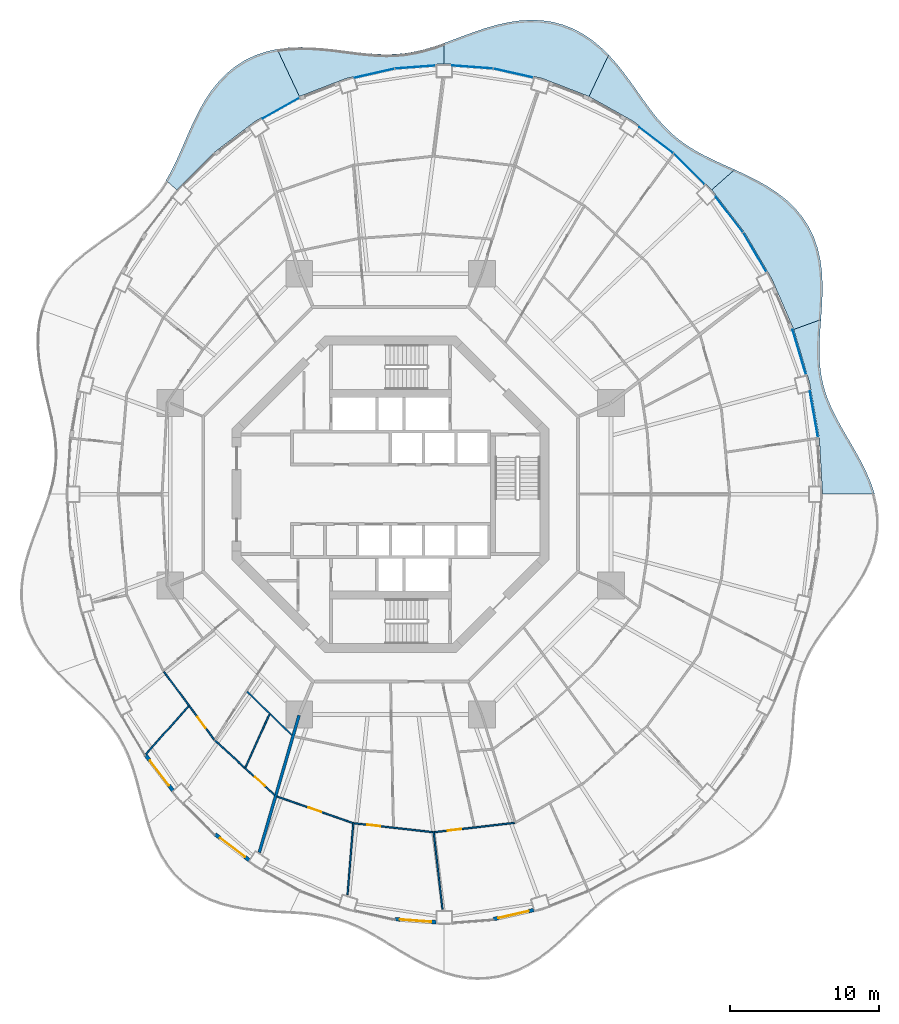
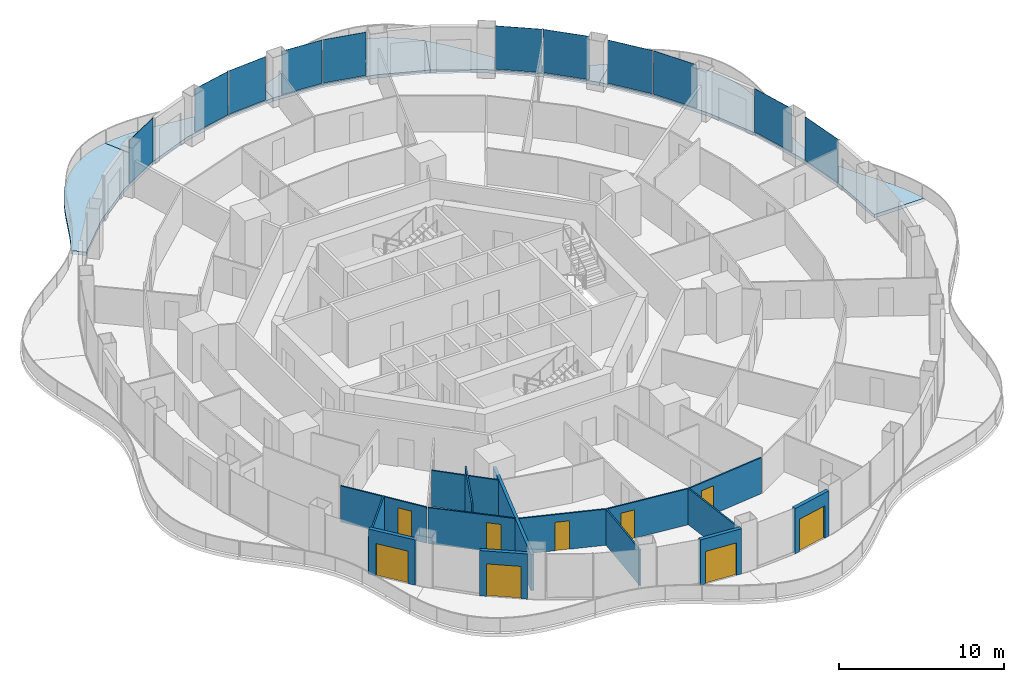
# One storey, part 10 of 19: 15 walls, 11 plates, 9 doors, 6 slabs, 9 openings, 11 elements without a shape of their own.
"""IFC4 building model written with IfcOpenShell, lengths in metres."""

from ifc_helpers import new_model, si_unit, direction, frame, frame_2d, origin, origin_2d, place, context, subcontext, project, spatial, polyline, rectangle, outline, extrude, material, layer, layer_set, type_object, element, fill, aggregate, save


model = new_model("IFC4")

# Units and contexts
model_context = context("Model", 3, precision=1e-05, world=origin(), true_north=direction((0.0, 1.0)))
body_context = subcontext(model_context, "Body", "Model", "MODEL_VIEW")
ifc_project = project(units=[si_unit("LENGTHUNIT", "METRE"), si_unit("AREAUNIT", "SQUARE_METRE"), si_unit("VOLUMEUNIT", "CUBIC_METRE"), si_unit("PLANEANGLEUNIT", "RADIAN"), si_unit("MASSUNIT", "GRAM", prefix="KILO")], contexts=[model_context])

# Site, building, storey
site_placement = place(None, origin())
site = spatial("IfcSite", under=ifc_project, at=site_placement, CompositionType="ELEMENT")
building_placement = place(site_placement, origin())
building = spatial("IfcBuilding", under=site, at=building_placement, Name="Nagisa Residences", CompositionType="ELEMENT")
storey_placement = place(building_placement, frame((0.0, 0.0, 202.89990234375)))
storey = spatial("IfcBuildingStorey", under=building, at=storey_placement, Name="L51", CompositionType="ELEMENT", Elevation=202.89990234375)

# Slabs
ifc_material_1 = material(Name="Concrete C40/50", Category="concrete")
ifc_layer_1 = layer(ifc_material_1, 0.25)
ifc_layer_set_1 = layer_set([ifc_layer_1], Name="BALCONY SLAB 250")
slab_type = type_object("IfcSlabType", Name="BALCONY SLAB 250", PredefinedType="FLOOR", material=ifc_layer_set_1)
slab_1_placement = place(storey_placement, frame((0.0, 0.0, -0.25)))
element("IfcSlab", 1, at=slab_1_placement, inside=storey, type_object=slab_type, Name="slab:L51:bal00", PredefinedType="FLOOR", context=body_context, shape_type="SweptSolid", body=[
    extrude(outline(polyline([(32.47412109375, 0.0), (32.21142578125, 0.774169921875), (31.8837890625, 1.53515625), (31.50830078125, 2.2802734375), (31.103515625, 3.0087890625), (30.688720703125, 3.7216796875), (30.283203125, 4.421142578125), (29.904052734375, 5.111328125), (29.566650390625, 5.796630859375), (29.2822265625, 6.48291015625), (29.05859375, 7.17626953125), (28.89892578125, 7.8818359375), (28.8017578125, 8.604736328125), (28.761474609375, 9.348388671875), (28.76806640625, 10.11474609375), (28.80810546875, 10.90380859375), (28.86572265625, 11.71337890625), (27.04345703125, 11.050048828125), (28.1103515625, 7.473388671875), (28.7578125, 3.76904296875), (28.97509765625, 0.0), (32.47412109375, 0.0)])), origin(), (0.0, 0.0, 1.0), 0.25),
])
slab_2_placement = place(storey_placement, frame((0.0, 0.0, -0.25)))
element("IfcSlab", 2, at=slab_2_placement, inside=storey, type_object=slab_type, Name="slab:L51:bal01", PredefinedType="FLOOR", context=body_context, shape_type="SweptSolid", body=[
    extrude(outline(polyline([(28.86572265625, 11.71337890625), (28.921630859375, 12.513427734375), (28.960693359375, 13.3232421875), (28.966552734375, 14.13525390625), (28.924072265625, 14.94189453125), (28.81982421875, 15.733642578125), (28.64404296875, 16.501708984375), (28.38916015625, 17.237060546875), (28.052001953125, 17.932373046875), (27.632568359375, 18.581298828125), (27.135009765625, 19.179443359375), (26.566650390625, 19.724609375), (25.937744140625, 20.218017578125), (25.260498046875, 20.662109375), (24.548828125, 21.063232421875), (23.817626953125, 21.42919921875), (23.081298828125, 21.769775390625), (21.542724609375, 20.417724609375), (23.7314453125, 17.577880859375), (25.575439453125, 14.4375), (27.04345703125, 11.050048828125), (28.86572265625, 11.71337890625)])), origin(), (0.0, 0.0, 1.0), 0.25),
])
slab_3_placement = place(storey_placement, frame((0.0, 0.0, -0.25)))
element("IfcSlab", 3, at=slab_3_placement, inside=storey, type_object=slab_type, Name="slab:L51:bal02", PredefinedType="FLOOR", context=body_context, shape_type="SweptSolid", body=[
    extrude(outline(polyline([(23.081298828125, 21.769775390625), (22.38720703125, 22.081298828125), (21.710693359375, 22.390869140625), (21.060546875, 22.708740234375), (20.4423828125, 23.044677734375), (19.85986328125, 23.407958984375), (19.313720703125, 23.8056640625), (18.80224609375, 24.242431640625), (18.321533203125, 24.72119140625), (17.86474609375, 25.24169921875), (17.424560546875, 25.80078125), (16.9921875, 26.392333984375), (16.5576171875, 27.0078125), (16.11181640625, 27.636474609375), (15.646240234375, 28.265380859375), (15.153076171875, 28.880859375), (14.626220703125, 29.46826171875), (13.310546875, 26.677001953125), (16.28759765625, 25.006591796875), (19.04736328125, 22.907958984375), (21.542724609375, 20.417724609375), (23.081298828125, 21.769775390625)])), origin(), (0.0, 0.0, 1.0), 0.25),
])
slab_4_placement = place(storey_placement, frame((0.0, 0.0, -0.25)))
element("IfcSlab", 4, at=slab_4_placement, inside=storey, type_object=slab_type, Name="slab:L51:bal03", PredefinedType="FLOOR", context=body_context, shape_type="SweptSolid", body=[
    extrude(outline(polyline([(14.626220703125, 29.46826171875), (14.0830078125, 29.99462890625), (13.503173828125, 30.4697265625), (12.88671875, 30.883056640625), (12.2353515625, 31.225830078125), (11.552978515625, 31.491943359375), (10.84423828125, 31.677490234375), (10.114990234375, 31.7822265625), (9.3720703125, 31.80810546875), (8.621826171875, 31.7607421875), (7.87109375, 31.647705078125), (7.12548828125, 31.479248046875), (6.389892578125, 31.267822265625), (5.66845703125, 31.0263671875), (4.962646484375, 30.768798828125), (4.2734375, 30.50927734375), (3.60009765625, 30.2607421875), (3.60009765625, 28.875), (6.912109375, 28.6279296875), (10.16748046875, 27.89111328125), (13.310546875, 26.677001953125), (14.626220703125, 29.46826171875)])), origin(), (0.0, 0.0, 1.0), 0.25),
])
slab_5_placement = place(storey_placement, frame((0.0, 0.0, -0.25)))
element("IfcSlab", 5, at=slab_5_placement, inside=storey, type_object=slab_type, Name="slab:L51:bal04", PredefinedType="FLOOR", context=body_context, shape_type="SweptSolid", body=[
    extrude(outline(polyline([(3.60009765625, 30.2607421875), (2.93994140625, 30.03515625), (2.28955078125, 29.842041015625), (1.644775390625, 29.688720703125), (1.00048828125, 29.579833984375), (0.351806640625, 29.517333984375), (-0.30615234375, 29.499267578125), (-0.97705078125, 29.521484375), (-1.664306640625, 29.576904296875), (-2.369140625, 29.65625), (-3.091796875, 29.747802734375), (-3.83056640625, 29.83935546875), (-4.58251953125, 29.91796875), (-5.342529296875, 29.97021484375), (-6.10498046875, 29.983642578125), (-6.8623046875, 29.947265625), (-7.60693359375, 29.8515625), (-6.110595703125, 26.677001953125), (-2.967529296875, 27.89111328125), (0.287841796875, 28.6279296875), (3.60009765625, 28.875), (3.60009765625, 30.2607421875)])), origin(), (0.0, 0.0, 1.0), 0.25),
])
slab_6_placement = place(storey_placement, frame((0.0, 0.0, -0.25)))
element("IfcSlab", 6, at=slab_6_placement, inside=storey, type_object=slab_type, Name="slab:L51:bal05", PredefinedType="FLOOR", context=body_context, shape_type="SweptSolid", body=[
    extrude(outline(polyline([(-7.60693359375, 29.8515625), (-8.357666015625, 29.681884765625), (-9.07763671875, 29.435302734375), (-9.759033203125, 29.1103515625), (-10.395751953125, 28.70751953125), (-10.983154296875, 28.231201171875), (-11.5185546875, 27.6884765625), (-12.00244140625, 27.088623046875), (-12.436767578125, 26.4423828125), (-12.82666015625, 25.762451171875), (-13.1787109375, 25.0615234375), (-13.501953125, 24.352294921875), (-13.806884765625, 23.64697265625), (-14.10400390625, 22.9560546875), (-14.405029296875, 22.28857421875), (-14.720458984375, 21.651123046875), (-15.060546875, 21.04833984375), (-14.3427734375, 20.417724609375), (-11.847412109375, 22.907958984375), (-9.08740234375, 25.006591796875), (-6.110595703125, 26.677001953125), (-7.60693359375, 29.8515625)])), origin(), (0.0, 0.0, 1.0), 0.25),
])

# Curtain wall, plate
ifc_material_2 = material(Name="Concrete-coloured aluminium curtain wall system", Category="concrete")
ifc_layer_2 = layer(ifc_material_2, 0.159912109375)
ifc_layer_set_2 = layer_set([ifc_layer_2], Name="CW1 CURTAIN WALL")
curtain_wall_type = type_object("IfcCurtainWallType", Name="CW1 CURTAIN WALL", PredefinedType="NOTDEFINED", material=ifc_layer_set_2)
curtain_wall_1_placement = place(storey_placement, origin())
curtain_wall_1 = element("IfcCurtainWall", 7, at=curtain_wall_1_placement, inside=storey, type_object=curtain_wall_type, Name="cw:CW1:L51:01", PredefinedType="NOTDEFINED")
ifc_material_3 = material(Name="Clear laminated glass", Category="glass")
ifc_layer_3 = layer(ifc_material_3, 0.028076171875)
ifc_layer_set_3 = layer_set([ifc_layer_3], Name="CW1 GLASS PANEL")
plate_type = type_object("IfcPlateType", Name="CW1 GLASS PANEL", PredefinedType="CURTAIN_PANEL", material=ifc_layer_set_3)
plate_1_placement = place(storey_placement, frame((28.3974609375, 5.365966796875, 0.14990234375), z_axis=(0.0, 0.0, 1.0), x_axis=(-0.172190868898, 0.985063604377, 0.0)))
plate_1 = element("IfcPlate", 8, at=plate_1_placement, type_object=plate_type, Name="CW1 panel", PredefinedType="CURTAIN_PANEL", context=body_context, shape_type="SweptSolid", body=[
    extrude(rectangle(XDim=3.150634765625, YDim=0.028076171875, at=origin_2d()), origin(), (0.0, 0.0, 1.0), 3.199951171875),
])
aggregate(curtain_wall_1, [plate_1])

curtain_wall_2_placement = place(storey_placement, origin())
curtain_wall_2 = element("IfcCurtainWall", 9, at=curtain_wall_2_placement, inside=storey, type_object=curtain_wall_type, Name="cw:CW1:L51:02", PredefinedType="NOTDEFINED")
plate_2_placement = place(storey_placement, frame((27.4130859375, 9.531005859375, 0.14990234375), z_axis=(0.0, 0.0, 1.0), x_axis=(-0.285860274038, 0.958271310082, 0.0)))
plate_2 = element("IfcPlate", 10, at=plate_2_placement, type_object=plate_type, Name="CW1 panel", PredefinedType="CURTAIN_PANEL", context=body_context, shape_type="SweptSolid", body=[
    extrude(rectangle(XDim=3.122314453125, YDim=0.028076171875, at=origin_2d()), origin(), (0.0, 0.0, 1.0), 3.199951171875),
])
aggregate(curtain_wall_2, [plate_2])

curtain_wall_3_placement = place(storey_placement, origin())
curtain_wall_3 = element("IfcCurtainWall", 11, at=curtain_wall_3_placement, inside=storey, type_object=curtain_wall_type, Name="cw:CW1:L51:04", PredefinedType="NOTDEFINED")
plate_3_placement = place(storey_placement, frame((24.429931640625, 16.230224609375, 0.14990234375), z_axis=(0.0, 0.0, 1.0), x_axis=(-0.506348567002, 0.862328898214, 0.0)))
plate_3 = element("IfcPlate", 12, at=plate_3_placement, type_object=plate_type, Name="CW1 panel", PredefinedType="CURTAIN_PANEL", context=body_context, shape_type="SweptSolid", body=[
    extrude(rectangle(XDim=3.031982421875, YDim=0.028076171875, at=origin_2d()), origin(), (0.0, 0.0, 1.0), 3.199951171875),
])
aggregate(curtain_wall_3, [plate_3])

curtain_wall_4_placement = place(storey_placement, origin())
curtain_wall_4 = element("IfcCurtainWall", 13, at=curtain_wall_4_placement, inside=storey, type_object=curtain_wall_type, Name="cw:CW1:L51:05", PredefinedType="NOTDEFINED")
plate_4_placement = place(storey_placement, frame((22.723388671875, 18.7548828125, 0.14990234375), z_axis=(0.0, 0.0, 1.0), x_axis=(-0.610429828235, 0.792070340816, 0.0)))
plate_4 = element("IfcPlate", 14, at=plate_4_placement, type_object=plate_type, Name="CW1 panel", PredefinedType="CURTAIN_PANEL", context=body_context, shape_type="SweptSolid", body=[
    extrude(rectangle(XDim=2.97509765625, YDim=0.028076171875, at=origin_2d()), origin(), (0.0, 0.0, 1.0), 3.199951171875),
])
aggregate(curtain_wall_4, [plate_4])

curtain_wall_5_placement = place(storey_placement, origin())
curtain_wall_5 = element("IfcCurtainWall", 15, at=curtain_wall_5_placement, inside=storey, type_object=curtain_wall_type, Name="cw:CW1:L51:06", PredefinedType="NOTDEFINED")
plate_5_placement = place(storey_placement, frame((20.022705078125, 21.82177734375, 0.14990234375), z_axis=(0.0, 0.0, 1.0), x_axis=(-0.707835924016, 0.706376885714, 0.0)))
plate_5 = element("IfcPlate", 16, at=plate_5_placement, type_object=plate_type, Name="CW1 panel", PredefinedType="CURTAIN_PANEL", context=body_context, shape_type="SweptSolid", body=[
    extrude(rectangle(XDim=2.91552734375, YDim=0.028076171875, at=origin_2d()), origin(), (0.0, 0.0, 1.0), 3.199951171875),
])
aggregate(curtain_wall_5, [plate_5])

curtain_wall_6_placement = place(storey_placement, origin())
curtain_wall_6 = element("IfcCurtainWall", 17, at=curtain_wall_6_placement, inside=storey, type_object=curtain_wall_type, Name="cw:CW1:L51:07", PredefinedType="NOTDEFINED")
plate_6_placement = place(storey_placement, frame((17.81396484375, 23.745361328125, 0.14990234375), z_axis=(0.0, 0.0, 1.0), x_axis=(-0.79603132756, 0.605255421737, 0.0)))
plate_6 = element("IfcPlate", 18, at=plate_6_placement, type_object=plate_type, Name="CW1 panel", PredefinedType="CURTAIN_PANEL", context=body_context, shape_type="SweptSolid", body=[
    extrude(rectangle(XDim=2.85693359375, YDim=0.028076171875, at=origin_2d()), origin(), (0.0, 0.0, 1.0), 3.199951171875),
])
aggregate(curtain_wall_6, [plate_6])

curtain_wall_7_placement = place(storey_placement, origin())
curtain_wall_7 = element("IfcCurtainWall", 19, at=curtain_wall_7_placement, inside=storey, type_object=curtain_wall_type, Name="cw:CW1:L51:10", PredefinedType="NOTDEFINED")
plate_7_placement = place(storey_placement, frame((8.224609375, 28.248779296875, 0.14990234375), z_axis=(0.0, 0.0, 1.0), x_axis=(-0.975327274089, 0.2207639201, 0.0)))
plate_7 = element("IfcPlate", 20, at=plate_7_placement, type_object=plate_type, Name="CW1 panel", PredefinedType="CURTAIN_PANEL", context=body_context, shape_type="SweptSolid", body=[
    extrude(rectangle(XDim=2.727783203125, YDim=0.028076171875, at=origin_2d()), origin(), (0.0, 0.0, 1.0), 3.199951171875),
])
aggregate(curtain_wall_7, [plate_7])

curtain_wall_8_placement = place(storey_placement, origin())
curtain_wall_8 = element("IfcCurtainWall", 21, at=curtain_wall_8_placement, inside=storey, type_object=curtain_wall_type, Name="cw:CW1:L51:11", PredefinedType="NOTDEFINED")
plate_8_placement = place(storey_placement, frame((5.494384765625, 28.653564453125, 0.14990234375), z_axis=(0.0, 0.0, 1.0), x_axis=(-0.997230168512, 0.074377355493, 0.0)))
plate_8 = element("IfcPlate", 22, at=plate_8_placement, type_object=plate_type, Name="CW1 panel", PredefinedType="CURTAIN_PANEL", context=body_context, shape_type="SweptSolid", body=[
    extrude(rectangle(XDim=2.711181640625, YDim=0.028076171875, at=origin_2d()), origin(), (0.0, 0.0, 1.0), 3.199951171875),
])
aggregate(curtain_wall_8, [plate_8])

curtain_wall_9_placement = place(storey_placement, origin())
curtain_wall_9 = element("IfcCurtainWall", 23, at=curtain_wall_9_placement, inside=storey, type_object=curtain_wall_type, Name="cw:CW1:L51:12", PredefinedType="NOTDEFINED")
plate_9_placement = place(storey_placement, frame((1.645751953125, 28.64892578125, 0.14990234375), z_axis=(0.0, 0.0, 1.0), x_axis=(-0.997230168512, -0.074377355493, 0.0)))
plate_9 = element("IfcPlate", 24, at=plate_9_placement, type_object=plate_type, Name="CW1 panel", PredefinedType="CURTAIN_PANEL", context=body_context, shape_type="SweptSolid", body=[
    extrude(rectangle(XDim=2.711181640625, YDim=0.028076171875, at=origin_2d()), origin(), (0.0, 0.0, 1.0), 3.199951171875),
])
aggregate(curtain_wall_9, [plate_9])

curtain_wall_10_placement = place(storey_placement, origin())
curtain_wall_10 = element("IfcCurtainWall", 25, at=curtain_wall_10_placement, inside=storey, type_object=curtain_wall_type, Name="cw:CW1:L51:13", PredefinedType="NOTDEFINED")
plate_10_placement = place(storey_placement, frame((-1.083251953125, 28.235595703125, 0.14990234375), z_axis=(0.0, 0.0, 1.0), x_axis=(-0.975327274089, -0.2207639201, 0.0)))
plate_10 = element("IfcPlate", 26, at=plate_10_placement, type_object=plate_type, Name="CW1 panel", PredefinedType="CURTAIN_PANEL", context=body_context, shape_type="SweptSolid", body=[
    extrude(rectangle(XDim=2.727783203125, YDim=0.028076171875, at=origin_2d()), origin(), (0.0, 0.0, 1.0), 3.199951171875),
])
aggregate(curtain_wall_10, [plate_10])

curtain_wall_11_placement = place(storey_placement, origin())
curtain_wall_11 = element("IfcCurtainWall", 27, at=curtain_wall_11_placement, inside=storey, type_object=curtain_wall_type, Name="cw:CW1:L51:15", PredefinedType="NOTDEFINED")
plate_11_placement = place(storey_placement, frame((-7.34619140625, 25.891845703125, 0.14990234375), z_axis=(0.0, 0.0, 1.0), x_axis=(-0.872072377523, -0.489376918501, 0.0)))
plate_11 = element("IfcPlate", 28, at=plate_11_placement, type_object=plate_type, Name="CW1 panel", PredefinedType="CURTAIN_PANEL", context=body_context, shape_type="SweptSolid", body=[
    extrude(rectangle(XDim=2.8037109375, YDim=0.028076171875, at=origin_2d()), origin(), (0.0, 0.0, 1.0), 3.199951171875),
])
aggregate(curtain_wall_11, [plate_11])

# Wall
ifc_material_4 = material(Name="Gypsum board on steel studs", Category="steel")
ifc_layer_4 = layer(ifc_material_4, 0.199951171875)
ifc_layer_set_4 = layer_set([ifc_layer_4], Name="Apartment compartment wall EI60 200")
wall_type_1 = type_object("IfcWallType", Name="Apartment compartment wall EI60 200", PredefinedType="PARTITIONING", material=ifc_layer_set_4)
wall_1_placement = place(storey_placement, frame((-6.136962890625, -14.830078125, 0.0), z_axis=(0.0, 0.0, 1.0), x_axis=(-0.278461169897, -0.96044748782, 0.0)))
element("IfcWall", 29, at=wall_1_placement, inside=storey, type_object=wall_type_1, Name="wall:L51:u05", PredefinedType="PARTITIONING", context=body_context, shape_type="SweptSolid", body=[
    extrude(rectangle(XDim=9.5732421875, YDim=0.199951171875, at=frame_2d((4.78662109375, 0.0))), origin(), (0.0, 0.0, 1.0), 2.666015625),
])

# Wall, opening, door
ifc_material_5 = material(Name="Gypsum board on steel studs", Category="steel")
ifc_layer_5 = layer(ifc_material_5, 0.10009765625)
ifc_layer_set_5 = layer_set([ifc_layer_5], Name="Apartment partition 100")
wall_type_2 = type_object("IfcWallType", Name="Apartment partition 100", PredefinedType="PARTITIONING", material=ifc_layer_set_5)
wall_2_placement = place(storey_placement, frame((-15.205322265625, -11.9013671875, 0.0), z_axis=(0.0, 0.0, 1.0), x_axis=(0.594704483906, -0.803944386647, 0.0)))
wall_2 = element("IfcWall", 30, at=wall_2_placement, inside=storey, type_object=wall_type_2, Name="wall:L51:u60", PredefinedType="PARTITIONING", context=body_context, shape_type="SweptSolid", body=[
    extrude(rectangle(XDim=5.671875, YDim=0.10009765625, at=frame_2d((2.8359375, 0.0))), origin(), (0.0, 0.0, 1.0), 2.666015625),
])
opening_1_placement = place(wall_2_placement, frame((3.8037109375, 0.0, 0.0)))
opening_1 = element("IfcOpeningElement", 31, at=opening_1_placement, cuts=wall_2, Name="Opening L51-U41", PredefinedType="OPENING", context=body_context, shape_type="SweptSolid", body=[
    extrude(rectangle(XDim=0.89990234375, YDim=2.10009765625, at=frame_2d((0.449951171875, 1.050048828125))), frame((0.0, 0.06005859375, 0.0), z_axis=(0.0, -1.0, 0.0), x_axis=(1.0, 0.0, 0.0)), (0.0, 0.0, 1.0), 0.1201171875),
])
ifc_material_6 = material(Name="Timber door set", Category="wood")
door_type_1 = type_object("IfcDoorType", Name="Apartment door 900x2100", OperationType="NOTDEFINED", PredefinedType="DOOR", material=ifc_material_6)
door_1_placement = place(opening_1_placement, frame((0.89990234375, 0.0, 0.0), x_axis=(-1.0, 0.0, 0.0)))
door_1 = element("IfcDoor", 32, at=door_1_placement, inside=storey, type_object=door_type_1, Name="Door to master bedroom, Apartment 51C", OperationType="SINGLE_SWING_RIGHT", OverallHeight=2.10009765625, OverallWidth=0.89990234375, PredefinedType="DOOR", context=body_context, shape_type="SweptSolid", body=[
    extrude(rectangle(XDim=0.89990234375, YDim=2.10009765625, at=frame_2d((0.449951171875, 1.050048828125))), frame((0.0, 0.02490234375, 0.0), z_axis=(0.0, -1.0, 0.0), x_axis=(1.0, 0.0, 0.0)), (0.0, 0.0, 1.0), 0.050048828125),
])
fill(opening_1, door_1)

# Walls
wall_3_placement = place(storey_placement, frame((-13.552001953125, -14.21875, 0.0), z_axis=(0.0, 0.0, 1.0), x_axis=(-0.663542794709, -0.748138329181, 0.0)))
element("IfcWall", 33, at=wall_3_placement, inside=storey, type_object=wall_type_2, Name="wall:L51:u61", PredefinedType="PARTITIONING", context=body_context, shape_type="SweptSolid", body=[
    extrude(rectangle(XDim=4.4501953125, YDim=0.10009765625, at=frame_2d((2.22509765625, 0.0))), origin(), (0.0, 0.0, 1.0), 2.7470703125),
])
wall_4_placement = place(storey_placement, frame((-9.62744140625, -13.238037109375, 0.0), z_axis=(0.0, 0.0, 1.0), x_axis=(0.716919058692, -0.697156412352, 0.0)))
element("IfcWall", 34, at=wall_4_placement, inside=storey, type_object=wall_type_2, Name="wall:L51:u63", PredefinedType="PARTITIONING", context=body_context, shape_type="SweptSolid", body=[
    extrude(rectangle(XDim=4.2001953125, YDim=0.10009765625, at=frame_2d((2.10009765625, 0.0))), origin(), (0.0, 0.0, 1.0), 2.666015625),
])

# Wall, opening, door
wall_5_placement = place(storey_placement, frame((-11.765625, -16.534912109375, 0.0), z_axis=(0.0, 0.0, 1.0), x_axis=(0.73807320557, -0.674720640872, 0.0)))
wall_5 = element("IfcWall", 35, at=wall_5_placement, inside=storey, type_object=wall_type_2, Name="wall:L51:u64", PredefinedType="PARTITIONING", context=body_context, shape_type="SweptSolid", body=[
    extrude(rectangle(XDim=5.39892578125, YDim=0.10009765625, at=frame_2d((2.699462890625, 0.0))), origin(), (0.0, 0.0, 1.0), 2.666015625),
])
opening_2_placement = place(wall_5_placement, frame((3.61181640625, 0.0, 0.0)))
opening_2 = element("IfcOpeningElement", 36, at=opening_2_placement, cuts=wall_5, Name="Opening L51-U44", PredefinedType="OPENING", context=body_context, shape_type="SweptSolid", body=[
    extrude(rectangle(XDim=0.89990234375, YDim=2.10009765625, at=frame_2d((0.449951171875, 1.050048828125))), frame((0.0, 0.06005859375, 0.0), z_axis=(0.0, -1.0, 0.0), x_axis=(1.0, 0.0, 0.0)), (0.0, 0.0, 1.0), 0.1201171875),
])
door_2_placement = place(opening_2_placement, origin())
door_2 = element("IfcDoor", 37, at=door_2_placement, inside=storey, type_object=door_type_1, Name="Door to en-suite bathroom, Apartment 51C", OperationType="SINGLE_SWING_RIGHT", OverallHeight=2.10009765625, OverallWidth=0.89990234375, PredefinedType="DOOR", context=body_context, shape_type="SweptSolid", body=[
    extrude(rectangle(XDim=0.89990234375, YDim=2.10009765625, at=frame_2d((0.449951171875, 1.050048828125))), frame((0.0, 0.02490234375, 0.0), z_axis=(0.0, -1.0, 0.0), x_axis=(1.0, 0.0, 0.0)), (0.0, 0.0, 1.0), 0.050048828125),
])
fill(opening_2, door_2)

# Wall
wall_6_placement = place(storey_placement, frame((-8.12451171875, -14.76513671875, 0.0), z_axis=(0.0, 0.0, 1.0), x_axis=(-0.411745679848, -0.911298795745, 0.0)))
element("IfcWall", 38, at=wall_6_placement, inside=storey, type_object=wall_type_2, Name="wall:L51:u65", PredefinedType="PARTITIONING", context=body_context, shape_type="SweptSolid", body=[
    extrude(rectangle(XDim=3.9091796875, YDim=0.10009765625, at=frame_2d((1.95458984375, 0.0))), origin(), (0.0, 0.0, 1.0), 3.35009765625),
])

# Wall, opening, door
wall_7_placement = place(storey_placement, frame((-7.612548828125, -20.2783203125, 0.0), z_axis=(0.0, 0.0, 1.0), x_axis=(0.94391294884, -0.330194404878, 0.0)))
wall_7 = element("IfcWall", 39, at=wall_7_placement, inside=storey, type_object=wall_type_2, Name="wall:L51:u67", PredefinedType="PARTITIONING", context=body_context, shape_type="SweptSolid", body=[
    extrude(rectangle(XDim=5.3671875, YDim=0.10009765625, at=frame_2d((2.68359375, 0.0))), origin(), (0.0, 0.0, 1.0), 2.666015625),
])
opening_3_placement = place(wall_7_placement, frame((2.233642578125, 0.0, 0.0)))
opening_3 = element("IfcOpeningElement", 40, at=opening_3_placement, cuts=wall_7, Name="Opening L51-U06", PredefinedType="OPENING", context=body_context, shape_type="SweptSolid", body=[
    extrude(rectangle(XDim=0.89990234375, YDim=2.10009765625, at=frame_2d((0.449951171875, 1.050048828125))), frame((0.0, 0.06005859375, 0.0), z_axis=(0.0, -1.0, 0.0), x_axis=(1.0, 0.0, 0.0)), (0.0, 0.0, 1.0), 0.1201171875),
])
door_3_placement = place(opening_3_placement, frame((0.89990234375, 0.0, 0.0), x_axis=(-1.0, 0.0, 0.0)))
door_3 = element("IfcDoor", 41, at=door_3_placement, inside=storey, type_object=door_type_1, Name="Door to master bedroom, Apartment 51A", OperationType="SINGLE_SWING_LEFT", OverallHeight=2.10009765625, OverallWidth=0.89990234375, PredefinedType="DOOR", context=body_context, shape_type="SweptSolid", body=[
    extrude(rectangle(XDim=0.89990234375, YDim=2.10009765625, at=frame_2d((0.449951171875, 1.050048828125))), frame((0.0, 0.02490234375, 0.0), z_axis=(0.0, -1.0, 0.0), x_axis=(1.0, 0.0, 0.0)), (0.0, 0.0, 1.0), 0.050048828125),
])
fill(opening_3, door_3)

# Wall
wall_8_placement = place(storey_placement, frame((-2.4951171875, -22.017333984375, 0.0), z_axis=(0.0, 0.0, 1.0), x_axis=(-0.080150660566, -0.99678276049, 0.0)))
element("IfcWall", 42, at=wall_8_placement, inside=storey, type_object=wall_type_2, Name="wall:L51:u69", PredefinedType="PARTITIONING", context=body_context, shape_type="SweptSolid", body=[
    extrude(rectangle(XDim=4.8583984375, YDim=0.10009765625, at=frame_2d((2.42919921875, 0.0))), origin(), (0.0, 0.0, 1.0), 2.666015625),
])

# Wall, opening, door
wall_9_placement = place(storey_placement, frame((-2.449462890625, -22.07275390625, 0.0), z_axis=(0.0, 0.0, 1.0), x_axis=(0.993660315081, -0.112424099879, 0.0)))
wall_9 = element("IfcWall", 43, at=wall_9_placement, inside=storey, type_object=wall_type_2, Name="wall:L51:u70", PredefinedType="PARTITIONING", context=body_context, shape_type="SweptSolid", body=[
    extrude(rectangle(XDim=5.32470703125, YDim=0.10009765625, at=frame_2d((2.662353515625, 0.0))), origin(), (0.0, 0.0, 1.0), 2.666015625),
])
opening_4_placement = place(wall_9_placement, frame((0.881103515625, 0.0, 0.0)))
opening_4 = element("IfcOpeningElement", 44, at=opening_4_placement, cuts=wall_9, Name="Opening L51-U07", PredefinedType="OPENING", context=body_context, shape_type="SweptSolid", body=[
    extrude(rectangle(XDim=0.89990234375, YDim=2.10009765625, at=frame_2d((0.449951171875, 1.050048828125))), frame((0.0, 0.06005859375, 0.0), z_axis=(0.0, -1.0, 0.0), x_axis=(1.0, 0.0, 0.0)), (0.0, 0.0, 1.0), 0.1201171875),
])
door_4_placement = place(opening_4_placement, frame((0.89990234375, 0.0, 0.0), x_axis=(-1.0, 0.0, 0.0)))
door_4 = element("IfcDoor", 45, at=door_4_placement, inside=storey, type_object=door_type_1, Name="Door to bedroom, Apartment 51A", OperationType="SINGLE_SWING_RIGHT", OverallHeight=2.10009765625, OverallWidth=0.89990234375, PredefinedType="DOOR", context=body_context, shape_type="SweptSolid", body=[
    extrude(rectangle(XDim=0.89990234375, YDim=2.10009765625, at=frame_2d((0.449951171875, 1.050048828125))), frame((0.0, 0.02490234375, 0.0), z_axis=(0.0, -1.0, 0.0), x_axis=(1.0, 0.0, 0.0)), (0.0, 0.0, 1.0), 0.050048828125),
])
fill(opening_4, door_4)

# Wall
wall_10_placement = place(storey_placement, frame((2.885498046875, -22.62744140625, 0.0), z_axis=(0.0, 0.0, 1.0), x_axis=(0.113634556485, -0.993522615531, 0.0)))
element("IfcWall", 46, at=wall_10_placement, inside=storey, type_object=wall_type_2, Name="wall:L51:u72", PredefinedType="PARTITIONING", context=body_context, shape_type="SweptSolid", body=[
    extrude(rectangle(XDim=5.244384765625, YDim=0.10009765625, at=frame_2d((2.6220703125, 0.0))), origin(), (0.0, 0.0, 1.0), 2.666015625),
])

# Wall, opening, door
wall_11_placement = place(storey_placement, frame((2.94091796875, -22.67138671875, 0.0), z_axis=(0.0, 0.0, 1.0), x_axis=(0.993245806382, 0.1160291692, 0.0)))
wall_11 = element("IfcWall", 47, at=wall_11_placement, inside=storey, type_object=wall_type_2, Name="wall:L51:u73", PredefinedType="PARTITIONING", context=body_context, shape_type="SweptSolid", body=[
    extrude(rectangle(XDim=5.40771484375, YDim=0.10009765625, at=frame_2d((2.703857421875, 0.0))), origin(), (0.0, 0.0, 1.0), 2.666015625),
])
opening_5_placement = place(wall_11_placement, frame((0.90185546875, 0.0, 0.0)))
opening_5 = element("IfcOpeningElement", 48, at=opening_5_placement, cuts=wall_11, Name="Opening L51-U08", PredefinedType="OPENING", context=body_context, shape_type="SweptSolid", body=[
    extrude(rectangle(XDim=0.89990234375, YDim=2.10009765625, at=frame_2d((0.449951171875, 1.050048828125))), frame((0.0, 0.06005859375, 0.0), z_axis=(0.0, -1.0, 0.0), x_axis=(1.0, 0.0, 0.0)), (0.0, 0.0, 1.0), 0.1201171875),
])
door_5_placement = place(opening_5_placement, frame((0.89990234375, 0.0, 0.0), x_axis=(-1.0, 0.0, 0.0)))
door_5 = element("IfcDoor", 49, at=door_5_placement, inside=storey, type_object=door_type_1, Name="Door to family room, Apartment 51A", OperationType="SINGLE_SWING_LEFT", OverallHeight=2.10009765625, OverallWidth=0.89990234375, PredefinedType="DOOR", context=body_context, shape_type="SweptSolid", body=[
    extrude(rectangle(XDim=0.89990234375, YDim=2.10009765625, at=frame_2d((0.449951171875, 1.050048828125))), frame((0.0, 0.02490234375, 0.0), z_axis=(0.0, -1.0, 0.0), x_axis=(1.0, 0.0, 0.0)), (0.0, 0.0, 1.0), 0.050048828125),
])
fill(opening_5, door_5)

ifc_material_7 = material(Name="Precast concrete C40/50", Category="concrete")
ifc_layer_6 = layer(ifc_material_7, 0.25)
ifc_layer_set_6 = layer_set([ifc_layer_6], Name="BALCONY DOOR WALL 250")
wall_type_3 = type_object("IfcWallType", Name="BALCONY DOOR WALL 250", PredefinedType="SOLIDWALL", material=ifc_layer_set_6)
wall_12_placement = place(storey_placement, frame((-14.57958984375, -19.90576171875, 0.0), z_axis=(0.0, 0.0, 1.0), x_axis=(-0.610437428894, 0.79206448311, 0.0)))
wall_12 = element("IfcWall", 50, at=wall_12_placement, inside=storey, type_object=wall_type_3, Name="wall:L51:bay29", PredefinedType="SOLIDWALL", context=body_context, shape_type="SweptSolid", body=[
    extrude(rectangle(XDim=3.03515625, YDim=0.25, at=frame_2d((1.517578125, 0.0))), origin(), (0.0, 0.0, 1.0), 3.35009765625),
])
opening_6_placement = place(wall_12_placement, frame((0.467529296875, 0.0, 0.0)))
opening_6 = element("IfcOpeningElement", 51, at=opening_6_placement, cuts=wall_12, Name="Opening BD-L51-10", PredefinedType="OPENING", context=body_context, shape_type="SweptSolid", body=[
    extrude(rectangle(XDim=2.10009765625, YDim=2.39990234375, at=frame_2d((1.050048828125, 1.199951171875))), frame((0.0, 0.135009765625, 0.0), z_axis=(0.0, -1.0, 0.0), x_axis=(1.0, 0.0, 0.0)), (0.0, 0.0, 1.0), 0.27001953125),
])
ifc_material_8 = material(Name="Aluminium and clear glass", Category="aluminium")
door_type_2 = type_object("IfcDoorType", Name="BALCONY SLIDING DOOR 2100x2400", OperationType="SLIDING_TO_LEFT", PredefinedType="DOOR", material=ifc_material_8)
door_6_placement = place(opening_6_placement, origin())
door_6 = element("IfcDoor", 52, at=door_6_placement, inside=storey, type_object=door_type_2, Name="door:L51:bay29", OperationType="SLIDING_TO_LEFT", OverallHeight=2.39990234375, OverallWidth=2.10009765625, PredefinedType="DOOR", context=body_context, shape_type="SweptSolid", body=[
    extrude(rectangle(XDim=2.10009765625, YDim=2.39990234375, at=frame_2d((1.050048828125, 1.199951171875))), frame((0.0, 0.02490234375, 0.0), z_axis=(0.0, -1.0, 0.0), x_axis=(1.0, 0.0, 0.0)), (0.0, 0.0, 1.0), 0.050048828125),
])
fill(opening_6, door_6)

wall_13_placement = place(storey_placement, frame((-9.44970703125, -24.573974609375, 0.0), z_axis=(0.0, 0.0, 1.0), x_axis=(-0.796055733703, 0.60522332146, 0.0)))
wall_13 = element("IfcWall", 53, at=wall_13_placement, inside=storey, type_object=wall_type_3, Name="wall:L51:bay31", PredefinedType="SOLIDWALL", context=body_context, shape_type="SweptSolid", body=[
    extrude(rectangle(XDim=2.9169921875, YDim=0.25, at=frame_2d((1.45849609375, 0.0))), origin(), (0.0, 0.0, 1.0), 3.35009765625),
])
opening_7_placement = place(wall_13_placement, frame((0.408447265625, 0.0, 0.0)))
opening_7 = element("IfcOpeningElement", 54, at=opening_7_placement, cuts=wall_13, Name="Opening BD-L51-11", PredefinedType="OPENING", context=body_context, shape_type="SweptSolid", body=[
    extrude(rectangle(XDim=2.10009765625, YDim=2.39990234375, at=frame_2d((1.050048828125, 1.199951171875))), frame((0.0, 0.135009765625, 0.0), z_axis=(0.0, -1.0, 0.0), x_axis=(1.0, 0.0, 0.0)), (0.0, 0.0, 1.0), 0.27001953125),
])
door_7_placement = place(opening_7_placement, origin())
door_7 = element("IfcDoor", 55, at=door_7_placement, inside=storey, type_object=door_type_2, Name="door:L51:bay31", OperationType="SLIDING_TO_LEFT", OverallHeight=2.39990234375, OverallWidth=2.10009765625, PredefinedType="DOOR", context=body_context, shape_type="SweptSolid", body=[
    extrude(rectangle(XDim=2.10009765625, YDim=2.39990234375, at=frame_2d((1.050048828125, 1.199951171875))), frame((0.0, 0.02490234375, 0.0), z_axis=(0.0, -1.0, 0.0), x_axis=(1.0, 0.0, 0.0)), (0.0, 0.0, 1.0), 0.050048828125),
])
fill(opening_7, door_7)

wall_14_placement = place(storey_placement, frame((3.060791015625, -28.70947265625, 0.0), z_axis=(0.0, 0.0, 1.0), x_axis=(-0.997232064422, 0.074351931305, 0.0)))
wall_14 = element("IfcWall", 56, at=wall_14_placement, inside=storey, type_object=wall_type_3, Name="wall:L51:bay35", PredefinedType="SOLIDWALL", context=body_context, shape_type="SweptSolid", body=[
    extrude(rectangle(XDim=2.771240234375, YDim=0.25, at=frame_2d((1.3857421875, 0.0))), origin(), (0.0, 0.0, 1.0), 3.35009765625),
])
opening_8_placement = place(wall_14_placement, frame((0.335693359375, 0.0, 0.0)))
opening_8 = element("IfcOpeningElement", 57, at=opening_8_placement, cuts=wall_14, Name="Opening BD-L51-12", PredefinedType="OPENING", context=body_context, shape_type="SweptSolid", body=[
    extrude(rectangle(XDim=2.10009765625, YDim=2.39990234375, at=frame_2d((1.050048828125, 1.199951171875))), frame((0.0, 0.135009765625, 0.0), z_axis=(0.0, -1.0, 0.0), x_axis=(1.0, 0.0, 0.0)), (0.0, 0.0, 1.0), 0.27001953125),
])
door_8_placement = place(opening_8_placement, origin())
door_8 = element("IfcDoor", 58, at=door_8_placement, inside=storey, type_object=door_type_2, Name="door:L51:bay35", OperationType="SLIDING_TO_LEFT", OverallHeight=2.39990234375, OverallWidth=2.10009765625, PredefinedType="DOOR", context=body_context, shape_type="SweptSolid", body=[
    extrude(rectangle(XDim=2.10009765625, YDim=2.39990234375, at=frame_2d((1.050048828125, 1.199951171875))), frame((0.0, 0.02490234375, 0.0), z_axis=(0.0, -1.0, 0.0), x_axis=(1.0, 0.0, 0.0)), (0.0, 0.0, 1.0), 0.050048828125),
])
fill(opening_8, door_8)

wall_15_placement = place(storey_placement, frame((9.603515625, -27.890625, 0.0), z_axis=(0.0, 0.0, 1.0), x_axis=(-0.975324329911, -0.220776926974, 0.0)))
wall_15 = element("IfcWall", 59, at=wall_15_placement, inside=storey, type_object=wall_type_3, Name="wall:L51:bay37", PredefinedType="SOLIDWALL", context=body_context, shape_type="SweptSolid", body=[
    extrude(rectangle(XDim=2.787841796875, YDim=0.25, at=frame_2d((1.39404296875, 0.0))), origin(), (0.0, 0.0, 1.0), 3.35009765625),
])
opening_9_placement = place(wall_15_placement, frame((0.343994140625, 0.0, 0.0)))
opening_9 = element("IfcOpeningElement", 60, at=opening_9_placement, cuts=wall_15, Name="Opening BD-L51-13", PredefinedType="OPENING", context=body_context, shape_type="SweptSolid", body=[
    extrude(rectangle(XDim=2.10009765625, YDim=2.39990234375, at=frame_2d((1.050048828125, 1.199951171875))), frame((0.0, 0.135009765625, 0.0), z_axis=(0.0, -1.0, 0.0), x_axis=(1.0, 0.0, 0.0)), (0.0, 0.0, 1.0), 0.27001953125),
])
door_9_placement = place(opening_9_placement, origin())
door_9 = element("IfcDoor", 61, at=door_9_placement, inside=storey, type_object=door_type_2, Name="door:L51:bay37", OperationType="SLIDING_TO_LEFT", OverallHeight=2.39990234375, OverallWidth=2.10009765625, PredefinedType="DOOR", context=body_context, shape_type="SweptSolid", body=[
    extrude(rectangle(XDim=2.10009765625, YDim=2.39990234375, at=frame_2d((1.050048828125, 1.199951171875))), frame((0.0, 0.02490234375, 0.0), z_axis=(0.0, -1.0, 0.0), x_axis=(1.0, 0.0, 0.0)), (0.0, 0.0, 1.0), 0.050048828125),
])
fill(opening_9, door_9)

save(model, "model.ifc")
